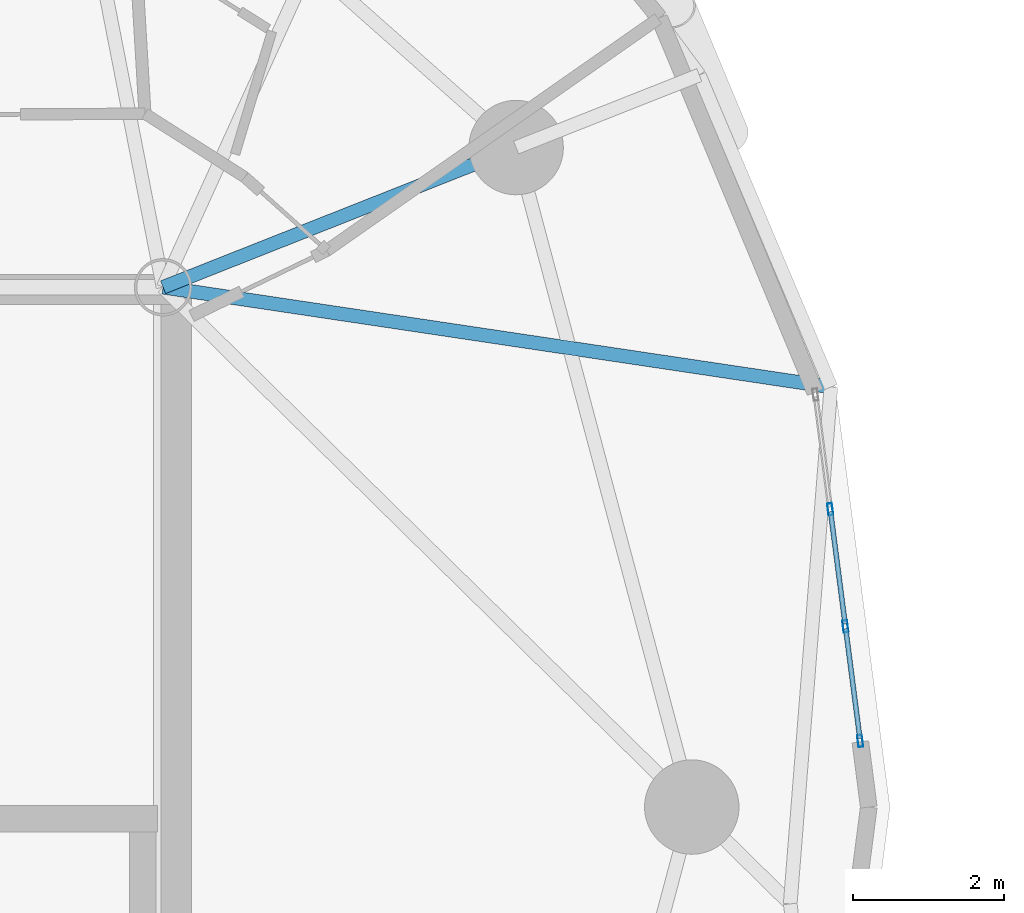
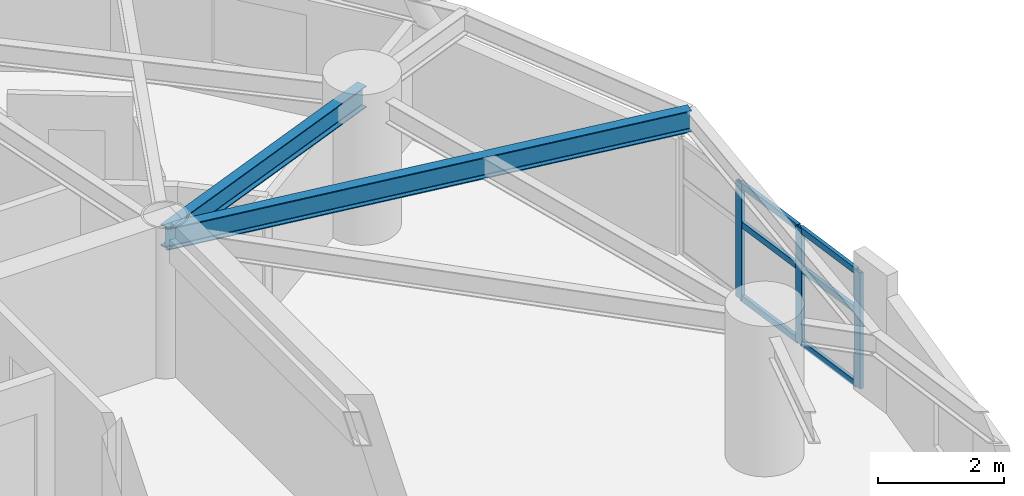
# One storey, part 3 of 18: 9 members, 2 beams, 1 element without a shape of its own.
"""IFC4 building model written with IfcOpenShell, lengths in metres."""

from ifc_helpers import new_model, si_unit, direction, frame, origin, origin_2d, place, context, subcontext, project, spatial, hollow_rectangle, i_section, extrude, material, layer, layer_set, material_profile, profile_set, type_object, element, aggregate, save


model = new_model("IFC4")

# Units and contexts
model_context = context("Model", 3, precision=1e-05, world=origin(), true_north=direction((0.0, 1.0)))
body_context = subcontext(model_context, "Body", "Model", "MODEL_VIEW")
ifc_project = project(units=[si_unit("LENGTHUNIT", "METRE"), si_unit("AREAUNIT", "SQUARE_METRE"), si_unit("VOLUMEUNIT", "CUBIC_METRE"), si_unit("PLANEANGLEUNIT", "RADIAN"), si_unit("MASSUNIT", "GRAM", prefix="KILO")], contexts=[model_context])

# Site, building, storey
site_placement = place(None, origin())
site = spatial("IfcSite", under=ifc_project, at=site_placement, CompositionType="ELEMENT")
building_placement = place(site_placement, origin())
building = spatial("IfcBuilding", under=site, at=building_placement, Name="Cununo Teusaquillo Station Towers", CompositionType="ELEMENT")
storey_placement = place(building_placement, frame((0.0, 0.0, 157.419921875)))
storey = spatial("IfcBuildingStorey", under=building, at=storey_placement, Name="L49", CompositionType="ELEMENT", Elevation=157.419921875)

# Beams
ifc_material_1 = material(Name="Steel ASTM A572 Grade 50", Category="steel")
ifc_material_profile_1 = material_profile(ifc_material_1, i_section(OverallWidth=0.180908203125, OverallDepth=0.4169921875, WebThickness=0.010986328125, FlangeThickness=0.018310546875, FilletRadius=0.012939453125, at=origin_2d()), Name="W16X57")
ifc_profile_set_1 = profile_set([ifc_material_profile_1], Name="Steel ASTM A572 Grade 50")
beam_type_1 = type_object("IfcBeamType", Name="BM-JOIST-1", PredefinedType="JOIST", material=ifc_profile_set_1)
beam_1_placement = place(storey_placement, frame((21.675048828125, 31.3798828125, 2.481689453125), z_axis=(0.989018754675, -0.147790063606, 0.0), x_axis=(0.147790063606, 0.989018754675, 0.0)))
element("IfcBeam", 1, at=beam_1_placement, inside=storey, type_object=beam_type_1, Name="L49 Tower A Radial Spandrel Joist V01", PredefinedType="JOIST", context=body_context, shape_type="SweptSolid", body=[
    extrude(i_section(OverallWidth=0.180908203125, OverallDepth=0.4169921875, WebThickness=0.010986328125, FlangeThickness=0.018310546875, FilletRadius=0.012939453125, at=origin_2d()), origin(), (0.0, 0.0, 1.0), 8.93701171875),
])
ifc_material_2 = material(Name="Steel ASTM A572 Grade 50", Category="steel")
ifc_material_profile_2 = material_profile(ifc_material_2, i_section(OverallWidth=0.180908203125, OverallDepth=0.4169921875, WebThickness=0.010986328125, FlangeThickness=0.018310546875, FilletRadius=0.012939453125, at=origin_2d()), Name="W16X57")
ifc_profile_set_2 = profile_set([ifc_material_profile_2], Name="Steel ASTM A572 Grade 50")
beam_type_2 = type_object("IfcBeamType", Name="BM-RAD-G2", PredefinedType="BEAM", material=ifc_profile_set_2)
beam_2_placement = place(storey_placement, frame((21.675048828125, 31.3798828125, 2.481689453125), z_axis=(0.929864104313, 0.367903176814, 0.0), x_axis=(-0.367903176814, 0.929864104313, 0.0)))
element("IfcBeam", 2, at=beam_2_placement, inside=storey, type_object=beam_type_2, Name="L49 Tower A Radial Girder 02A", PredefinedType="BEAM", context=body_context, shape_type="SweptSolid", body=[
    extrude(i_section(OverallWidth=0.180908203125, OverallDepth=0.4169921875, WebThickness=0.010986328125, FlangeThickness=0.018310546875, FilletRadius=0.012939453125, at=origin_2d()), origin(), (0.0, 0.0, 1.0), 5.02490234375),
])

# Curtain wall, members
ifc_material_3 = material(Name="Operable acoustic tinted low-E double glazing", Category="glass")
ifc_layer = layer(ifc_material_3, 0.179931640625)
ifc_layer_set = layer_set([ifc_layer], Name="Operable acoustic tinted low-E double glazing")
curtain_wall_type = type_object("IfcCurtainWallType", Name="CW-SYS-06", PredefinedType="USERDEFINED", material=ifc_layer_set)
curtain_wall_placement = place(storey_placement, origin())
curtain_wall = element("IfcCurtainWall", 3, at=curtain_wall_placement, inside=storey, type_object=curtain_wall_type, Name="L49 Tower A Facade Curtain Wall C00", ObjectType="OPERABLE GLAZING", PredefinedType="USERDEFINED")
ifc_material_4 = material(Name="Anodised dark bronze aluminium EN AW-6063-T6", Category="aluminium")
ifc_material_profile_3 = material_profile(ifc_material_4, hollow_rectangle(XDim=0.06494140625, YDim=0.159912109375, WallThickness=0.00390625, at=origin_2d()), Name="CW-MULL-65x160")
ifc_profile_set_3 = profile_set([ifc_material_profile_3], Name="Anodised dark bronze aluminium EN AW-6063-T6")
member_type_1 = type_object("IfcMemberType", Name="CWM-160", PredefinedType="MULLION", material=ifc_profile_set_3)
member_1_placement = place(storey_placement, frame((30.505126953125, 28.44189453125, 0.0), z_axis=(0.0, 0.0, 1.0), x_axis=(0.991736321922, 0.128292898403, 0.0)))
member_1 = element("IfcMember", 4, at=member_1_placement, type_object=member_type_1, Name="CW-06 mullion 2", PredefinedType="MULLION", context=body_context, shape_type="SweptSolid", body=[
    extrude(hollow_rectangle(XDim=0.06494140625, YDim=0.159912109375, WallThickness=0.00390625, at=origin_2d()), origin(), (0.0, 0.0, 1.0), 2.2451171875),
])
member_2_placement = place(storey_placement, frame((30.70556640625, 26.892333984375, 0.0), z_axis=(0.0, 0.0, 1.0), x_axis=(0.991736321922, 0.128292898403, 0.0)))
member_2 = element("IfcMember", 5, at=member_2_placement, type_object=member_type_1, Name="CW-06 mullion 3", PredefinedType="MULLION", context=body_context, shape_type="SweptSolid", body=[
    extrude(hollow_rectangle(XDim=0.06494140625, YDim=0.159912109375, WallThickness=0.00390625, at=origin_2d()), origin(), (0.0, 0.0, 1.0), 2.2451171875),
])
member_3_placement = place(storey_placement, frame((30.901611328125, 25.375244140625, 0.0), z_axis=(0.0, 0.0, 1.0), x_axis=(0.991736321922, 0.128292898403, 0.0)))
member_3 = element("IfcMember", 6, at=member_3_placement, type_object=member_type_1, Name="CW-06 mullion 4", PredefinedType="MULLION", context=body_context, shape_type="SweptSolid", body=[
    extrude(hollow_rectangle(XDim=0.06494140625, YDim=0.159912109375, WallThickness=0.00390625, at=origin_2d()), origin(), (0.0, 0.0, 1.0), 2.2451171875),
])
ifc_material_5 = material(Name="Anodised dark bronze aluminium EN AW-6063-T6", Category="aluminium")
ifc_material_profile_4 = material_profile(ifc_material_5, hollow_rectangle(XDim=0.06494140625, YDim=0.1201171875, WallThickness=0.00390625, at=origin_2d()), Name="CW-TRAN-65x120")
ifc_profile_set_4 = profile_set([ifc_material_profile_4], Name="Anodised dark bronze aluminium EN AW-6063-T6")
member_type_2 = type_object("IfcMemberType", Name="CWT-120", PredefinedType="USERDEFINED", material=ifc_profile_set_4)
member_4_placement = place(storey_placement, frame((30.50927734375, 28.40966796875, 0.032470703125), z_axis=(0.128307576997, -0.991734422961, 0.0), x_axis=(0.991734422961, 0.128307576997, 0.0)))
member_4 = element("IfcMember", 7, at=member_4_placement, type_object=member_type_2, Name="CW-06 transom 2.1", ObjectType="TRANSOM", PredefinedType="USERDEFINED", context=body_context, shape_type="SweptSolid", body=[
    extrude(hollow_rectangle(XDim=0.06494140625, YDim=0.1201171875, WallThickness=0.00390625, at=origin_2d()), origin(), (0.0, 0.0, 1.0), 1.49755859375),
])
member_5_placement = place(storey_placement, frame((30.50927734375, 28.40966796875, 1.458984375), z_axis=(0.128307576997, -0.991734422961, 0.0), x_axis=(0.991734422961, 0.128307576997, 0.0)))
member_5 = element("IfcMember", 8, at=member_5_placement, type_object=member_type_2, Name="CW-06 transom 2.2", ObjectType="TRANSOM", PredefinedType="USERDEFINED", context=body_context, shape_type="SweptSolid", body=[
    extrude(hollow_rectangle(XDim=0.06494140625, YDim=0.1201171875, WallThickness=0.00390625, at=origin_2d()), origin(), (0.0, 0.0, 1.0), 1.49755859375),
])
member_6_placement = place(storey_placement, frame((30.50927734375, 28.40966796875, 2.212646484375), z_axis=(0.128307576997, -0.991734422961, 0.0), x_axis=(0.991734422961, 0.128307576997, 0.0)))
member_6 = element("IfcMember", 9, at=member_6_placement, type_object=member_type_2, Name="CW-06 transom 2.3", ObjectType="TRANSOM", PredefinedType="USERDEFINED", context=body_context, shape_type="SweptSolid", body=[
    extrude(hollow_rectangle(XDim=0.06494140625, YDim=0.1201171875, WallThickness=0.00390625, at=origin_2d()), origin(), (0.0, 0.0, 1.0), 1.49755859375),
])
member_7_placement = place(storey_placement, frame((30.709716796875, 26.860107421875, 0.032470703125), z_axis=(0.128177596053, -0.991751230839, 0.0), x_axis=(0.991751230839, 0.128177596053, 0.0)))
member_7 = element("IfcMember", 10, at=member_7_placement, type_object=member_type_2, Name="CW-06 transom 3.1", ObjectType="TRANSOM", PredefinedType="USERDEFINED", context=body_context, shape_type="SweptSolid", body=[
    extrude(hollow_rectangle(XDim=0.06494140625, YDim=0.1201171875, WallThickness=0.00390625, at=origin_2d()), origin(), (0.0, 0.0, 1.0), 1.464599609375),
])
member_8_placement = place(storey_placement, frame((30.709716796875, 26.860107421875, 1.458984375), z_axis=(0.128177596053, -0.991751230839, 0.0), x_axis=(0.991751230839, 0.128177596053, 0.0)))
member_8 = element("IfcMember", 11, at=member_8_placement, type_object=member_type_2, Name="CW-06 transom 3.2", ObjectType="TRANSOM", PredefinedType="USERDEFINED", context=body_context, shape_type="SweptSolid", body=[
    extrude(hollow_rectangle(XDim=0.06494140625, YDim=0.1201171875, WallThickness=0.00390625, at=origin_2d()), origin(), (0.0, 0.0, 1.0), 1.464599609375),
])
member_9_placement = place(storey_placement, frame((30.709716796875, 26.860107421875, 2.212646484375), z_axis=(0.128177596053, -0.991751230839, 0.0), x_axis=(0.991751230839, 0.128177596053, 0.0)))
member_9 = element("IfcMember", 12, at=member_9_placement, type_object=member_type_2, Name="CW-06 transom 3.3", ObjectType="TRANSOM", PredefinedType="USERDEFINED", context=body_context, shape_type="SweptSolid", body=[
    extrude(hollow_rectangle(XDim=0.06494140625, YDim=0.1201171875, WallThickness=0.00390625, at=origin_2d()), origin(), (0.0, 0.0, 1.0), 1.464599609375),
])
aggregate(curtain_wall, [member_1, member_2, member_3, member_4, member_5, member_6, member_7, member_8, member_9])

save(model, "model.ifc")
